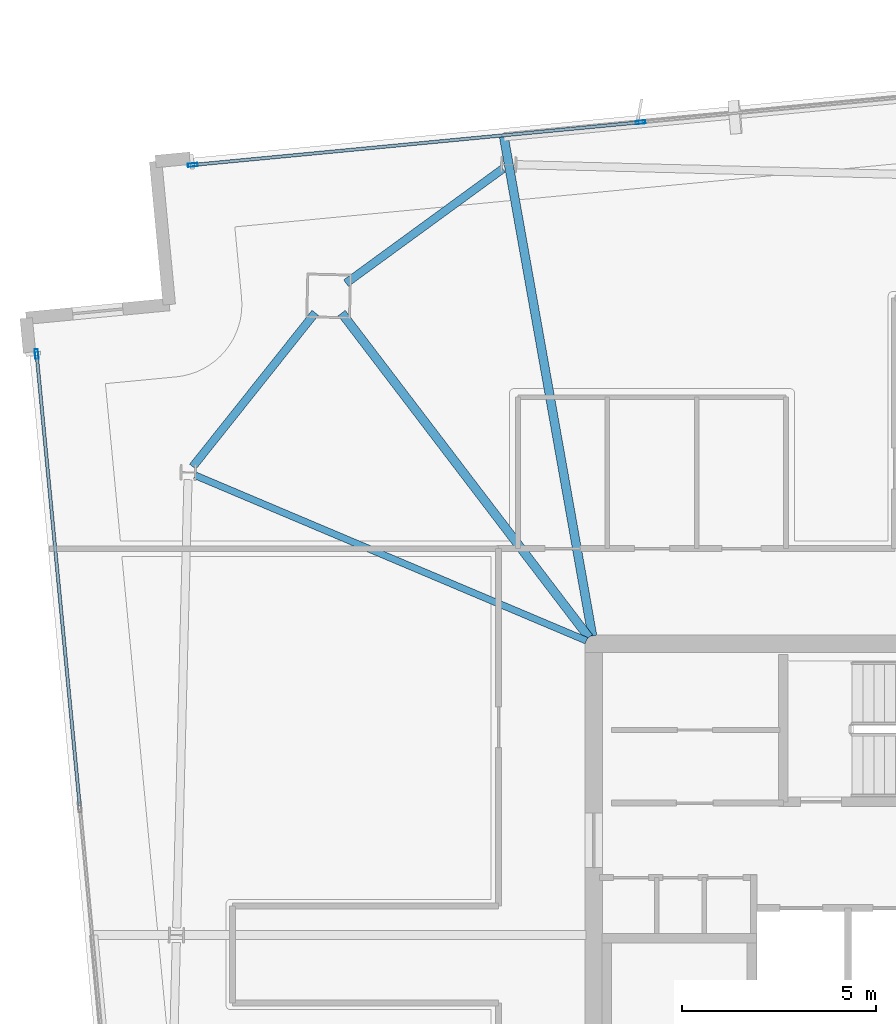
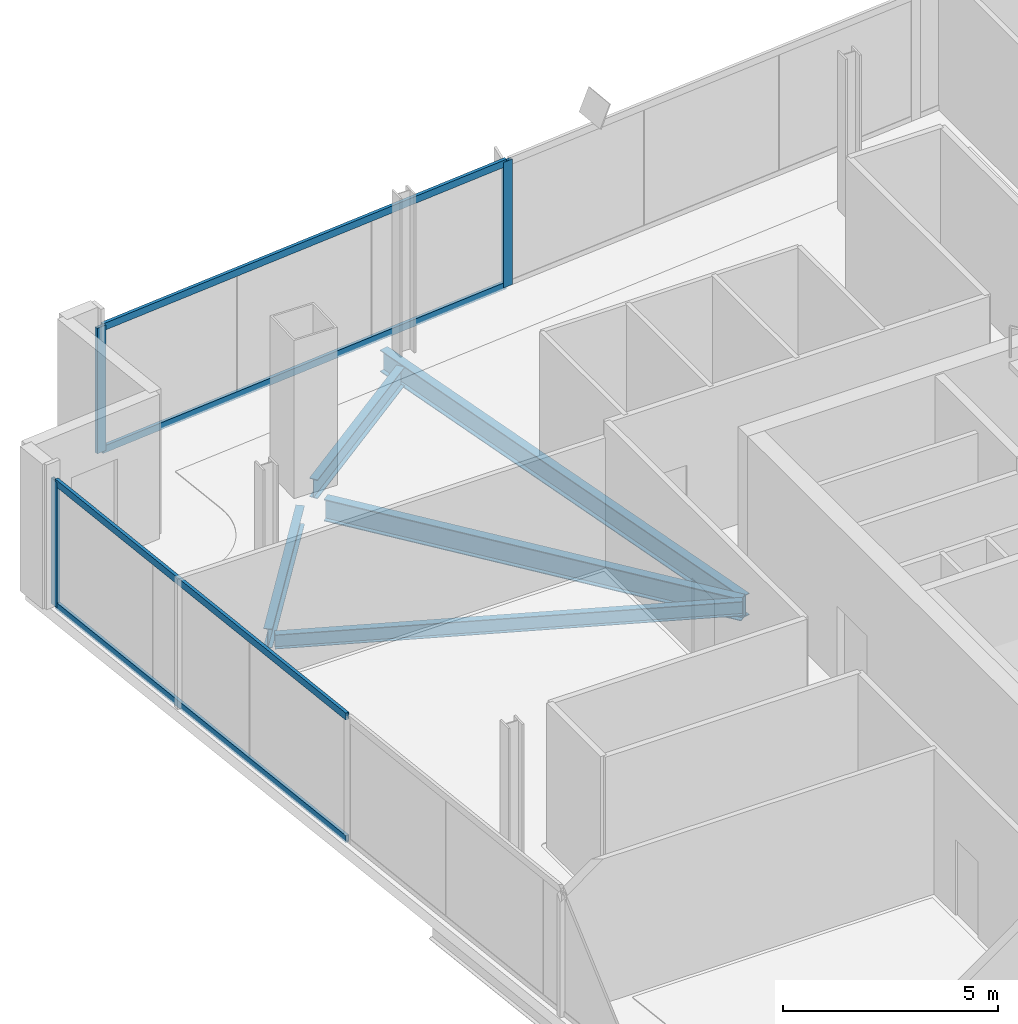
# One storey, part 12 of 24: 7 members, 5 beams, 2 elements without a shape of their own.
"""IFC4 building model written with IfcOpenShell, lengths in metres."""

from ifc_helpers import new_model, si_unit, direction, frame, origin, origin_2d, place, context, subcontext, project, spatial, hollow_rectangle, i_section, extrude, material, material_profile, profile_set, type_object, element, aggregate, save


model = new_model("IFC4")

# Units and contexts
model_context = context("Model", 3, precision=1e-05, world=origin(), true_north=direction((0.0, 1.0)))
body_context = subcontext(model_context, "Body", "Model", "MODEL_VIEW")
ifc_project = project(units=[si_unit("LENGTHUNIT", "METRE"), si_unit("AREAUNIT", "SQUARE_METRE"), si_unit("VOLUMEUNIT", "CUBIC_METRE"), si_unit("PLANEANGLEUNIT", "RADIAN"), si_unit("MASSUNIT", "GRAM", prefix="KILO")], contexts=[model_context])

# Site, building, storey
site_placement = place(None, origin())
site = spatial("IfcSite", under=ifc_project, at=site_placement, CompositionType="ELEMENT")
building_placement = place(site_placement, origin())
building = spatial("IfcBuilding", under=site, at=building_placement, Name="Haldenkirk Collegiate Tower", CompositionType="ELEMENT")
storey_placement = place(building_placement, frame((0.0, 0.0, 347.699951171875)))
storey = spatial("IfcBuildingStorey", under=building, at=storey_placement, Name="L88", CompositionType="ELEMENT", Elevation=347.699951171875)

# Beams
ifc_material_1 = material(Name="Steel ASTM A992 Grade 50", Category="steel")
ifc_material_profile_1 = material_profile(ifc_material_1, i_section(OverallWidth=0.22998046875, OverallDepth=0.616943359375, WebThickness=0.01318359375, FlangeThickness=0.022216796875, at=origin_2d()), Name="W24X94")
ifc_profile_set_1 = profile_set([ifc_material_profile_1], Name="Steel ASTM A992 Grade 50")
beam_type_1 = type_object("IfcBeamType", Name="BM-GIRDER-W24X94", PredefinedType="BEAM", material=ifc_profile_set_1)
beam_1_placement = place(storey_placement, frame((20.510498046875, 42.514404296875, -0.62841796875), z_axis=(0.606183308444, -0.79532496287, 0.0), x_axis=(0.79532496287, 0.606183308444, 0.0)))
element("IfcBeam", 1, at=beam_1_placement, inside=storey, type_object=beam_type_1, Name="L88 primary floor girder 03", PredefinedType="BEAM", context=body_context, shape_type="SweptSolid", body=[
    extrude(i_section(OverallWidth=0.22998046875, OverallDepth=0.616943359375, WebThickness=0.01318359375, FlangeThickness=0.022216796875, at=origin_2d()), origin(), (0.0, 0.0, 1.0), 10.50048828125),
])
beam_2_placement = place(storey_placement, frame((24.68505859375, 47.050537109375, -0.62841796875), z_axis=(0.17465085213, -0.984630428054, 0.0), x_axis=(0.984630428054, 0.17465085213, 0.0)))
element("IfcBeam", 2, at=beam_2_placement, inside=storey, type_object=beam_type_1, Name="L88 primary floor girder 10", PredefinedType="BEAM", context=body_context, shape_type="SweptSolid", body=[
    extrude(i_section(OverallWidth=0.22998046875, OverallDepth=0.616943359375, WebThickness=0.01318359375, FlangeThickness=0.022216796875, at=origin_2d()), origin(), (0.0, 0.0, 1.0), 13.049072265625),
])
ifc_material_profile_2 = material_profile(ifc_material_1, i_section(OverallWidth=0.177978515625, OverallDepth=0.406005859375, WebThickness=0.0078125, FlangeThickness=0.0126953125, at=origin_2d()), Name="W16X40")
ifc_profile_set_2 = profile_set([ifc_material_profile_2], Name="Steel ASTM A992 Grade 50")
beam_type_2 = type_object("IfcBeamType", Name="BM-JOIST-W16X40", PredefinedType="JOIST", material=ifc_profile_set_2)
beam_3_placement = place(storey_placement, frame((16.731201171875, 38.338623046875, -0.52294921875), z_axis=(0.92115928442, -0.389185781763, 0.0), x_axis=(0.389185781763, 0.92115928442, 0.0)))
element("IfcBeam", 3, at=beam_3_placement, inside=storey, type_object=beam_type_2, Name="L88 composite floor joist 11", PredefinedType="JOIST", context=body_context, shape_type="SweptSolid", body=[
    extrude(i_section(OverallWidth=0.177978515625, OverallDepth=0.406005859375, WebThickness=0.0078125, FlangeThickness=0.0126953125, at=origin_2d()), origin(), (0.0, 0.0, 1.0), 10.94287109375),
])
ifc_material_profile_3 = material_profile(ifc_material_1, i_section(OverallWidth=0.2099609375, OverallDepth=0.537109375, WebThickness=0.010986328125, FlangeThickness=0.017333984375, at=origin_2d()), Name="W21X68")
ifc_profile_set_3 = profile_set([ifc_material_profile_3], Name="Steel ASTM A992 Grade 50")
beam_type_3 = type_object("IfcBeamType", Name="BM-SPANDREL-W21X68", PredefinedType="SPANDREL", material=ifc_profile_set_3)
beam_4_placement = place(storey_placement, frame((24.6591796875, 46.228759765625, -0.58837890625), z_axis=(-0.807792834001, -0.589466485338, 0.0), x_axis=(0.589466485338, -0.807792834001, 0.0)))
element("IfcBeam", 4, at=beam_4_placement, inside=storey, type_object=beam_type_3, Name="L88 perimeter spandrel beam 08", PredefinedType="SPANDREL", context=body_context, shape_type="SweptSolid", body=[
    extrude(i_section(OverallWidth=0.2099609375, OverallDepth=0.537109375, WebThickness=0.010986328125, FlangeThickness=0.017333984375, at=origin_2d()), origin(), (0.0, 0.0, 1.0), 4.997314453125),
])
beam_5_placement = place(storey_placement, frame((19.828369140625, 42.521484375, -0.58837890625), z_axis=(-0.622694005585, -0.782465446783, 0.0), x_axis=(0.782465446783, -0.622694005585, 0.0)))
element("IfcBeam", 5, at=beam_5_placement, inside=storey, type_object=beam_type_3, Name="L88 perimeter spandrel beam 09", PredefinedType="SPANDREL", context=body_context, shape_type="SweptSolid", body=[
    extrude(i_section(OverallWidth=0.2099609375, OverallDepth=0.537109375, WebThickness=0.010986328125, FlangeThickness=0.017333984375, at=origin_2d()), origin(), (0.0, 0.0, 1.0), 5.06396484375),
])

# Curtain wall, members
ifc_material_2 = material(Name="Anodised architectural bronze aluminium", Category="aluminium")
curtain_wall_type = type_object("IfcCurtainWallType", Name="CW-SYS1B-CONVEX-HI", PredefinedType="USERDEFINED", material=ifc_material_2)
curtain_wall_1_placement = place(storey_placement, origin())
curtain_wall_1 = element("IfcCurtainWall", 6, at=curtain_wall_1_placement, inside=storey, type_object=curtain_wall_type, Name="L88 Upper tower high-wind convex bronze unitised curtain wall", ObjectType="UNITISED CURTAIN WALL", PredefinedType="USERDEFINED")
ifc_material_profile_4 = material_profile(ifc_material_2, hollow_rectangle(XDim=0.0849609375, YDim=0.25, WallThickness=0.0048828125, at=origin_2d()), Name="CW-MUL-1B")
ifc_profile_set_4 = profile_set([ifc_material_profile_4], Name="Anodised architectural bronze aluminium")
member_type_1 = type_object("IfcMemberType", Name="CW-MUL-1B", PredefinedType="MULLION", material=ifc_profile_set_4)
member_1_placement = place(storey_placement, frame((16.674560546875, 46.326416015625, 0.0), z_axis=(0.0, 0.0, 1.0), x_axis=(-0.094976204743, 0.995479543001, 0.0)))
member_1 = element("IfcMember", 7, at=member_1_placement, type_object=member_type_1, Name="CW-1B mullion 1", PredefinedType="MULLION", context=body_context, shape_type="SweptSolid", body=[
    extrude(hollow_rectangle(XDim=0.0849609375, YDim=0.25, WallThickness=0.0048828125, at=origin_2d()), origin(), (0.0, 0.0, 1.0), 3.55810546875),
])
member_2_placement = place(storey_placement, frame((28.204833984375, 47.426513671875, 0.0), z_axis=(0.0, 0.0, 1.0), x_axis=(-0.094976204743, 0.995479543001, 0.0)))
member_2 = element("IfcMember", 8, at=member_2_placement, type_object=member_type_1, Name="CW-1B mullion 2", PredefinedType="MULLION", context=body_context, shape_type="SweptSolid", body=[
    extrude(hollow_rectangle(XDim=0.0849609375, YDim=0.25, WallThickness=0.0048828125, at=origin_2d()), origin(), (0.0, 0.0, 1.0), 3.55810546875),
])

# Curtain wall, member
curtain_wall_2_placement = place(storey_placement, origin())
curtain_wall_2 = element("IfcCurtainWall", 9, at=curtain_wall_2_placement, inside=storey, type_object=curtain_wall_type, Name="L88 Upper tower high-wind convex bronze unitised curtain wall", ObjectType="UNITISED CURTAIN WALL", PredefinedType="USERDEFINED")
member_3_placement = place(storey_placement, frame((12.65625, 41.460205078125, 0.0), z_axis=(0.0, 0.0, 1.0), x_axis=(-0.995479454371, -0.094977133699, 0.0)))
member_3 = element("IfcMember", 10, at=member_3_placement, type_object=member_type_1, Name="CW-1B mullion 4", PredefinedType="MULLION", context=body_context, shape_type="SweptSolid", body=[
    extrude(hollow_rectangle(XDim=0.0849609375, YDim=0.25, WallThickness=0.0048828125, at=origin_2d()), origin(), (0.0, 0.0, 1.0), 3.55810546875),
])

# Member
ifc_material_profile_5 = material_profile(ifc_material_2, hollow_rectangle(XDim=0.0849609375, YDim=0.199951171875, WallThickness=0.0048828125, at=origin_2d()), Name="CW-TRN-1B")
ifc_profile_set_5 = profile_set([ifc_material_profile_5], Name="Anodised architectural bronze aluminium")
member_type_2 = type_object("IfcMemberType", Name="CW-TRN-1B", PredefinedType="USERDEFINED", material=ifc_profile_set_5)
member_4_placement = place(storey_placement, frame((16.716796875, 46.33056640625, 0.04248046875), z_axis=(0.995481146046, 0.094959401146, 0.0), x_axis=(-0.094959401146, 0.995481146046, 0.0)))
member_4 = element("IfcMember", 11, at=member_4_placement, type_object=member_type_2, Name="CW-1B transom 1.1", ObjectType="TRANSOM", PredefinedType="USERDEFINED", context=body_context, shape_type="SweptSolid", body=[
    extrude(hollow_rectangle(XDim=0.0849609375, YDim=0.199951171875, WallThickness=0.0048828125, at=origin_2d()), origin(), (0.0, 0.0, 1.0), 11.49755859375),
])

member_5_placement = place(storey_placement, frame((16.716796875, 46.33056640625, 3.515625), z_axis=(0.995481146046, 0.094959401146, 0.0), x_axis=(-0.094959401146, 0.995481146046, 0.0)))
member_5 = element("IfcMember", 12, at=member_5_placement, type_object=member_type_2, Name="CW-1B transom 1.2", ObjectType="TRANSOM", PredefinedType="USERDEFINED", context=body_context, shape_type="SweptSolid", body=[
    extrude(hollow_rectangle(XDim=0.0849609375, YDim=0.199951171875, WallThickness=0.0048828125, at=origin_2d()), origin(), (0.0, 0.0, 1.0), 11.49755859375),
])

aggregate(curtain_wall_1, [member_1, member_2, member_4, member_5])

member_6_placement = place(storey_placement, frame((13.765625, 29.831298828125, 0.04248046875), z_axis=(-0.09497736717, 0.995479432096, 0.0), x_axis=(-0.995479432096, -0.09497736717, 0.0)))
member_6 = element("IfcMember", 13, at=member_6_placement, type_object=member_type_2, Name="CW-1B transom 3.1", ObjectType="TRANSOM", PredefinedType="USERDEFINED", context=body_context, shape_type="SweptSolid", body=[
    extrude(hollow_rectangle(XDim=0.0849609375, YDim=0.199951171875, WallThickness=0.0048828125, at=origin_2d()), origin(), (0.0, 0.0, 1.0), 11.639404296875),
])

member_7_placement = place(storey_placement, frame((13.765625, 29.831298828125, 3.515625), z_axis=(-0.09497736717, 0.995479432096, 0.0), x_axis=(-0.995479432096, -0.09497736717, 0.0)))
member_7 = element("IfcMember", 14, at=member_7_placement, type_object=member_type_2, Name="CW-1B transom 3.2", ObjectType="TRANSOM", PredefinedType="USERDEFINED", context=body_context, shape_type="SweptSolid", body=[
    extrude(hollow_rectangle(XDim=0.0849609375, YDim=0.199951171875, WallThickness=0.0048828125, at=origin_2d()), origin(), (0.0, 0.0, 1.0), 11.639404296875),
])

aggregate(curtain_wall_2, [member_3, member_6, member_7])

save(model, "model.ifc")
